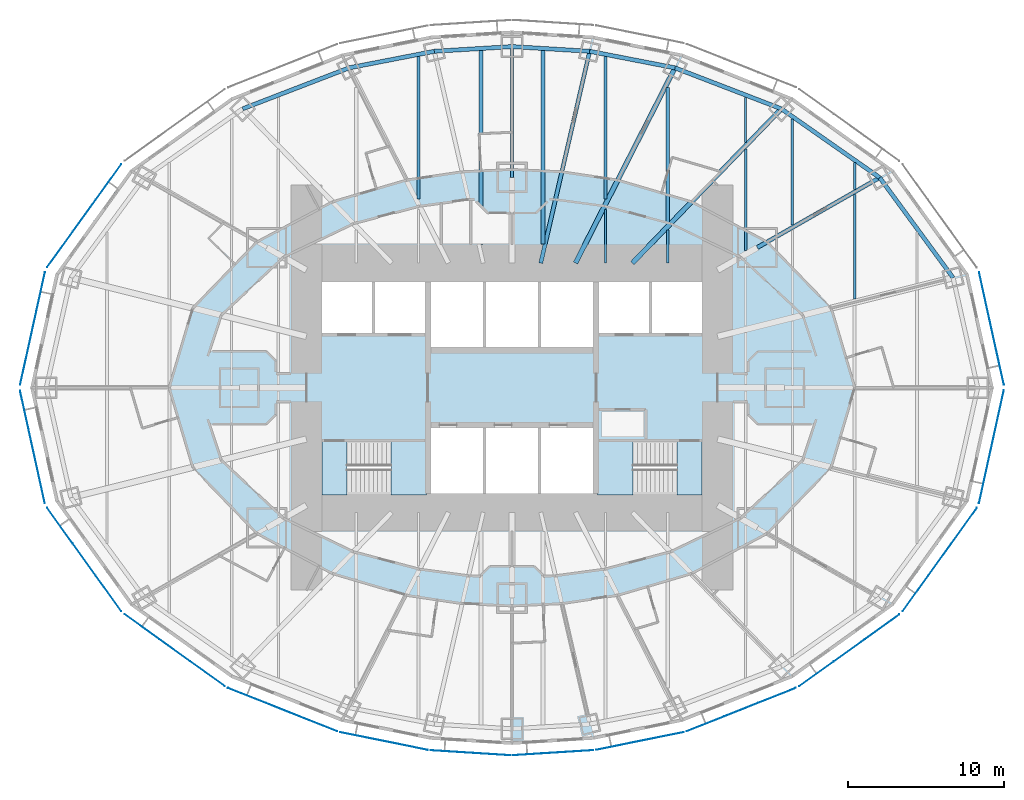
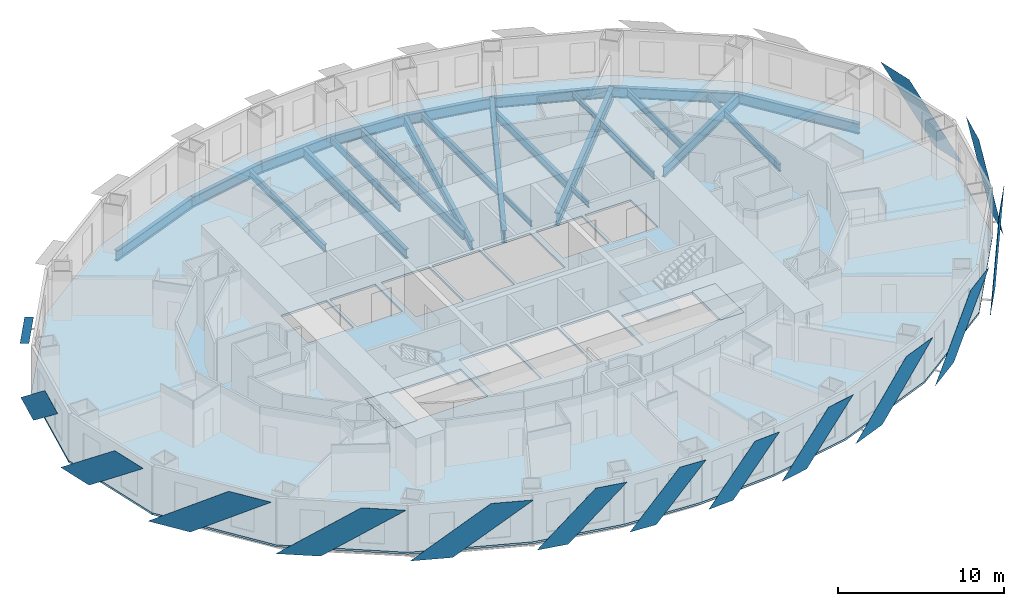
# One storey, part 3 of 15: 25 beams, 15 plates, 5 slabs, 2 elements without a shape of their own.
"""IFC4 building model written with IfcOpenShell, lengths in metres."""

import ifcopenshell
import ifcopenshell.guid

model = None  # the IFC model being written
_history = None  # IfcOwnerHistory: only IFC2X3 demands one
_inside = {}  # id of a spatial element -> (the spatial element, [elements in it])
_under = {}  # id of a project, library or spatial element -> (it, [spatial elements below it])
_declared = {}  # id of a project -> (the project, [libraries it declares])
_typed = {}  # id of a type object -> (the type object, [elements of that type])
_made_of = {}  # id of a material, layer set ... -> (it, [elements and type objects made of it])


def new_model(schema):
    """Start an empty IFC model of exactly this schema.

    Asked for "IFC4X3", IfcOpenShell would pick the latest addendum, in which some entities
    have other attributes; the version numbers below select the first issue.
    IFC2X3 requires an IfcOwnerHistory on every rooted entity: one is made here for all.
    """
    global model, _history
    if schema == "IFC4X3":
        model = ifcopenshell.file(schema_version=(4, 3, 0, 0))
    else:
        model = ifcopenshell.file(schema=schema)
    _inside.clear()
    _under.clear()
    _declared.clear()
    _typed.clear()
    _made_of.clear()
    _history = None
    if model.schema == "IFC2X3":
        org = make("IfcOrganization", Name="unknown")
        user = make(
            "IfcPersonAndOrganization",
            ThePerson=make("IfcPerson", FamilyName="unknown"),
            TheOrganization=org,
        )
        app = make(
            "IfcApplication",
            ApplicationDeveloper=org,
            Version="unknown",
            ApplicationFullName="unknown",
            ApplicationIdentifier="unknown",
        )
        _history = make(
            "IfcOwnerHistory",
            OwningUser=user,
            OwningApplication=app,
            ChangeAction="ADDED",
            CreationDate=0,
        )
    return model


def make(cls, **values):
    """One entity of the class cls with the attributes given. An attribute that is None is left unset."""
    return model.create_entity(
        cls, **{name: value for name, value in values.items() if value is not None}
    )


def rooted(cls, **values):
    """An entity with a GlobalId (a new one), such as an element, a storey or a relation."""
    return make(cls, GlobalId=ifcopenshell.guid.new(), OwnerHistory=_history, **values)


def si_unit(unit_type, name, prefix=None):
    """IfcSIUnit, for example si_unit("LENGTHUNIT", "METRE", prefix="MILLI")."""
    return make("IfcSIUnit", UnitType=unit_type, Prefix=prefix, Name=name)


def assignment(units):
    """IfcUnitAssignment: the units of a project."""
    return None if units is None else make("IfcUnitAssignment", Units=units)


def point(xyz):
    """IfcCartesianPoint."""
    return None if xyz is None else make("IfcCartesianPoint", Coordinates=xyz)


def direction(xyz):
    """IfcDirection."""
    return None if xyz is None else make("IfcDirection", DirectionRatios=xyz)


def frame(location, z_axis=None, x_axis=None):
    """IfcAxis2Placement3D, a coordinate frame: its origin and axes. An axis left out is left unset."""
    return make(
        "IfcAxis2Placement3D",
        Location=point(location),
        Axis=direction(z_axis),
        RefDirection=direction(x_axis),
    )


def frame_2d(location, x_axis=None):
    """IfcAxis2Placement2D, a coordinate frame in the plane: its origin and x axis."""
    return make(
        "IfcAxis2Placement2D", Location=point(location), RefDirection=direction(x_axis)
    )


def origin():
    """The frame at (0, 0, 0) with its axes left unset."""
    return frame((0.0, 0.0, 0.0))


def origin_2d():
    """The frame at (0, 0) in the plane with its x axis left unset."""
    return frame_2d((0.0, 0.0))


def place(relative_to, where):
    """IfcLocalPlacement: puts the frame where relative to a parent placement (None: the world)."""
    return make(
        "IfcLocalPlacement", PlacementRelTo=relative_to, RelativePlacement=where
    )


def context(
    kind, dimensions, precision=None, world=None, true_north=None, identifier=None
):
    """IfcGeometricRepresentationContext, for example the 3D "Model" context."""
    return make(
        "IfcGeometricRepresentationContext",
        ContextIdentifier=identifier,
        ContextType=kind,
        CoordinateSpaceDimension=dimensions,
        Precision=precision,
        WorldCoordinateSystem=world,
        TrueNorth=true_north,
    )


def subcontext(parent, identifier, kind, view, scale=None):
    """IfcGeometricRepresentationSubContext, for example "Body" below "Model"."""
    return make(
        "IfcGeometricRepresentationSubContext",
        ContextIdentifier=identifier,
        ContextType=kind,
        ParentContext=parent,
        TargetScale=scale,
        TargetView=view,
    )


def project(units=None, contexts=None):
    """IfcProject with its units and contexts."""
    return rooted(
        "IfcProject",
        Name="project",
        RepresentationContexts=contexts,
        UnitsInContext=assignment(units),
    )


def spatial(cls, under=None, at=None, **own):
    """A site, building, storey or space (cls), placed at a placement, below another one or the project."""
    s = rooted(cls, ObjectPlacement=at, **own)
    if under is not None:
        _under.setdefault(under.id(), (under, []))[1].append(s)
    return s


def polyline(points):
    """IfcPolyline through the points."""
    return make("IfcPolyline", Points=[point(p) for p in points])


def profile(cls, at=None, kind="AREA", **sizes):
    """A parametric profile (cls). Its sizes go by their IFC names, for example OverallWidth=200.0."""
    return make(cls, ProfileType=kind, Position=at, **sizes)


def i_section(**sizes):
    """IfcIShapeProfileDef."""
    return profile("IfcIShapeProfileDef", **sizes)


def outline(outer, holes=None, kind="AREA"):
    """IfcArbitraryClosedProfileDef: a profile drawn as a closed curve; with holes, ...WithVoids."""
    if holes is None:
        return make("IfcArbitraryClosedProfileDef", ProfileType=kind, OuterCurve=outer)
    return make(
        "IfcArbitraryProfileDefWithVoids",
        ProfileType=kind,
        OuterCurve=outer,
        InnerCurves=holes,
    )


def extrude(swept, where, along, depth):
    """IfcExtrudedAreaSolid: the profile swept, set in the frame where, extruded along a direction by depth."""
    return make(
        "IfcExtrudedAreaSolid",
        SweptArea=swept,
        Position=where,
        ExtrudedDirection=direction(along),
        Depth=depth,
    )


def shape(context_of_items, identifier, shape_type, items):
    """IfcShapeRepresentation: the items that make up one representation, for example the "Body"."""
    return make(
        "IfcShapeRepresentation",
        ContextOfItems=context_of_items,
        RepresentationIdentifier=identifier,
        RepresentationType=shape_type,
        Items=items,
    )


def material(Name=None, Category=None):
    """IfcMaterial."""
    return make("IfcMaterial", Name=Name, Category=Category)


def layer(
    of_material, thickness, ventilated=None, Name=None, Category=None, Priority=None
):
    """IfcMaterialLayer: one layer of a wall or slab, of a material (None: an air gap)."""
    return make(
        "IfcMaterialLayer",
        Material=of_material,
        LayerThickness=thickness,
        IsVentilated=ventilated,
        Name=Name,
        Category=Category,
        Priority=Priority,
    )


def layer_set(layers, Name=None):
    """IfcMaterialLayerSet."""
    return make("IfcMaterialLayerSet", MaterialLayers=layers, LayerSetName=Name)


def material_profile(
    of_material, cross_section, Name=None, Category=None, Priority=None
):
    """IfcMaterialProfile: a cross section and its material."""
    return make(
        "IfcMaterialProfile",
        Name=Name,
        Material=of_material,
        Profile=cross_section,
        Priority=Priority,
        Category=Category,
    )


def profile_set(profiles, Name=None, composite=None):
    """IfcMaterialProfileSet."""
    return make(
        "IfcMaterialProfileSet",
        Name=Name,
        MaterialProfiles=profiles,
        CompositeProfile=composite,
    )


def made_of(thing, what):
    """Note that an element or type object is made of a material, layer set ...; save() writes the relation."""
    if what is not None:
        _made_of.setdefault(what.id(), (what, []))[1].append(thing)
    return thing


def type_object(cls, material=None, **own):
    """A type object (cls), such as IfcWallType, which elements share."""
    return made_of(rooted(cls, **own), material)


def element(
    cls,
    number,
    at=None,
    inside=None,
    cuts=None,
    type_object=None,
    material=None,
    context=None,
    identifier="Body",
    shape_type=None,
    held_by="IfcProductDefinitionShape",
    body=None,
    shapes=None,
    **own,
):
    """One element of the class cls, such as IfcWall. Its Tag is "e" and its number.

    at: its placement. inside: the storey or other place that contains it. cuts: it is an
    opening in that element (IfcRelVoidsElement). A single representation is given by context,
    identifier, shape_type and body (its items); several are given by shapes. held_by: the class
    of the entity that holds the representations. save() writes the other relations.
    """
    e = rooted(cls, Tag="e%d" % number, ObjectPlacement=at, **own)
    if body is not None:
        shapes = [shape(context, identifier, shape_type, body)]
    if shapes is not None:
        e.Representation = make(held_by, Representations=shapes)
    if inside is not None:
        _inside.setdefault(inside.id(), (inside, []))[1].append(e)
    if cuts is not None:
        rooted(
            "IfcRelVoidsElement", RelatingBuildingElement=cuts, RelatedOpeningElement=e
        )
    if type_object is not None:
        _typed.setdefault(type_object.id(), (type_object, []))[1].append(e)
    return made_of(e, material)


def aggregate(whole, parts):
    """IfcRelAggregates: a whole, such as a stair, and the parts it consists of."""
    return rooted("IfcRelAggregates", RelatingObject=whole, RelatedObjects=parts)


def save(model, path):
    """Write the relations noted so far, then the file.

    IfcRelAggregates (storeys below a building ...), IfcRelContainedInSpatialStructure (elements
    in a storey), IfcRelDefinesByType, IfcRelAssociatesMaterial and IfcRelDeclares: one each for
    every whole, place, type object, material and project.
    """
    for whole, parts in _under.values():
        aggregate(whole, parts)
    for where, things in _inside.values():
        rooted(
            "IfcRelContainedInSpatialStructure",
            RelatedElements=things,
            RelatingStructure=where,
        )
    for kind, things in _typed.values():
        rooted("IfcRelDefinesByType", RelatedObjects=things, RelatingType=kind)
    for what, things in _made_of.values():
        rooted("IfcRelAssociatesMaterial", RelatedObjects=things, RelatingMaterial=what)
    for by, libraries in _declared.values():
        rooted("IfcRelDeclares", RelatingContext=by, RelatedDefinitions=libraries)
    model.write(path)


model = new_model("IFC4")

# Units and contexts
model_context = context("Model", 3, precision=1e-05, world=origin(), true_north=direction((0.0, 1.0)))
body_context = subcontext(model_context, "Body", "Model", "MODEL_VIEW")
ifc_project = project(units=[si_unit("LENGTHUNIT", "METRE"), si_unit("AREAUNIT", "SQUARE_METRE"), si_unit("VOLUMEUNIT", "CUBIC_METRE"), si_unit("PLANEANGLEUNIT", "RADIAN"), si_unit("MASSUNIT", "GRAM", prefix="KILO")], contexts=[model_context])

# Site, building, storey
site_placement = place(None, origin())
site = spatial("IfcSite", under=ifc_project, at=site_placement, CompositionType="ELEMENT")
building_placement = place(site_placement, origin())
building = spatial("IfcBuilding", under=site, at=building_placement, Name="Lantaw Convention Tower", CompositionType="ELEMENT")
storey_placement = place(building_placement, frame((0.0, 0.0, 80.199951171875)))
storey = spatial("IfcBuildingStorey", under=building, at=storey_placement, Name="L18", CompositionType="ELEMENT", Elevation=80.199951171875)

# Beams
ifc_material_1 = material(Name="Steel ASTM A992", Category="steel")
ifc_material_profile_1 = material_profile(ifc_material_1, i_section(OverallWidth=0.2666015625, OverallDepth=0.76953125, WebThickness=0.015625, FlangeThickness=0.025390625, FilletRadius=0.0126953125, at=origin_2d()), Name="W30X132")
ifc_profile_set_1 = profile_set([ifc_material_profile_1], Name="Steel ASTM A992")
beam_type_1 = type_object("IfcBeamType", Name="Beam E W30X132", PredefinedType="SPANDREL", material=ifc_profile_set_1)
beam_1_placement = place(storey_placement, frame((28.31787109375, 7.060302734375, -0.53466796875), z_axis=(-0.591270709086, 0.806473154281, 0.0), x_axis=(-0.806473154281, -0.591270709086, 0.0)))
element("IfcBeam", 1, at=beam_1_placement, inside=storey, type_object=beam_type_1, Name="Edge beam 2", PredefinedType="SPANDREL", context=body_context, shape_type="SweptSolid", body=[
    extrude(i_section(OverallWidth=0.2666015625, OverallDepth=0.76953125, WebThickness=0.015625, FlangeThickness=0.025390625, FilletRadius=0.0126953125, at=origin_2d()), origin(), (0.0, 0.0, 1.0), 7.970703125),
])
beam_2_placement = place(storey_placement, frame((23.60498046875, 13.488525390625, -0.53466796875), z_axis=(-0.81942686407, 0.57318375277, 0.0), x_axis=(-0.57318375277, -0.81942686407, 0.0)))
element("IfcBeam", 2, at=beam_2_placement, inside=storey, type_object=beam_type_1, Name="Edge beam 3", PredefinedType="SPANDREL", context=body_context, shape_type="SweptSolid", body=[
    extrude(i_section(OverallWidth=0.2666015625, OverallDepth=0.76953125, WebThickness=0.015625, FlangeThickness=0.025390625, FilletRadius=0.0126953125, at=origin_2d()), origin(), (0.0, 0.0, 1.0), 7.70556640625),
])
beam_3_placement = place(storey_placement, frame((17.290771484375, 17.9052734375, -0.53466796875), z_axis=(-0.933232900641, 0.359271976588, 0.0), x_axis=(-0.359271976588, -0.933232900641, 0.0)))
element("IfcBeam", 3, at=beam_3_placement, inside=storey, type_object=beam_type_1, Name="Edge beam 4", PredefinedType="SPANDREL", context=body_context, shape_type="SweptSolid", body=[
    extrude(i_section(OverallWidth=0.2666015625, OverallDepth=0.76953125, WebThickness=0.015625, FlangeThickness=0.025390625, FilletRadius=0.0126953125, at=origin_2d()), origin(), (0.0, 0.0, 1.0), 7.316650390625),
])
beam_4_placement = place(storey_placement, frame((10.462646484375, 20.533935546875, -0.53466796875), z_axis=(-0.981636565323, 0.190760723474, 0.0), x_axis=(-0.190760723474, -0.981636565323, 0.0)))
element("IfcBeam", 4, at=beam_4_placement, inside=storey, type_object=beam_type_1, Name="Edge beam 5", PredefinedType="SPANDREL", context=body_context, shape_type="SweptSolid", body=[
    extrude(i_section(OverallWidth=0.2666015625, OverallDepth=0.76953125, WebThickness=0.015625, FlangeThickness=0.025390625, FilletRadius=0.0126953125, at=origin_2d()), origin(), (0.0, 0.0, 1.0), 5.578857421875),
])
for number, where, z_axis, x_axis, name in (
    (5, (4.986328125, 21.59814453125, -0.53466796875), (-0.998173858406, 0.060406526096, 0.0), (-0.060406526096, -0.998173858406, 0.0), "Edge beam 6"),
    (6, (0.0, 21.89990234375, -0.53466796875), (-0.998173858406, -0.060406526096, 0.0), (0.060406526096, -0.998173858406, 0.0), "Edge beam 7"),
):
    element("IfcBeam", number, at=place(storey_placement, frame(where, z_axis=z_axis, x_axis=x_axis)), inside=storey, type_object=beam_type_1, Name=name, PredefinedType="SPANDREL", context=body_context, shape_type="SweptSolid", body=[
        extrude(i_section(OverallWidth=0.2666015625, OverallDepth=0.76953125, WebThickness=0.015625, FlangeThickness=0.025390625, FilletRadius=0.0126953125, at=origin_2d()), origin(), (0.0, 0.0, 1.0), 4.995361328125),
    ])
beam_5_placement = place(storey_placement, frame((-4.986328125, 21.59814453125, -0.53466796875), z_axis=(-0.981636565323, -0.190760723474, 0.0), x_axis=(0.190760723474, -0.981636565323, 0.0)))
element("IfcBeam", 7, at=beam_5_placement, inside=storey, type_object=beam_type_1, Name="Edge beam 8", PredefinedType="SPANDREL", context=body_context, shape_type="SweptSolid", body=[
    extrude(i_section(OverallWidth=0.2666015625, OverallDepth=0.76953125, WebThickness=0.015625, FlangeThickness=0.025390625, FilletRadius=0.0126953125, at=origin_2d()), origin(), (0.0, 0.0, 1.0), 5.578857421875),
])
beam_6_placement = place(storey_placement, frame((-10.462646484375, 20.533935546875, -0.53466796875), z_axis=(-0.933232900641, -0.359271976588, 0.0), x_axis=(0.359271976588, -0.933232900641, 0.0)))
element("IfcBeam", 8, at=beam_6_placement, inside=storey, type_object=beam_type_1, Name="Edge beam 9", PredefinedType="SPANDREL", context=body_context, shape_type="SweptSolid", body=[
    extrude(i_section(OverallWidth=0.2666015625, OverallDepth=0.76953125, WebThickness=0.015625, FlangeThickness=0.025390625, FilletRadius=0.0126953125, at=origin_2d()), origin(), (0.0, 0.0, 1.0), 7.316650390625),
])
ifc_material_profile_2 = material_profile(ifc_material_1, i_section(OverallWidth=0.1650390625, OverallDepth=0.52587890625, WebThickness=0.0087890625, FlangeThickness=0.011474609375, FilletRadius=0.0126953125, at=origin_2d()), Name="W21X44")
ifc_profile_set_2 = profile_set([ifc_material_profile_2], Name="Steel ASTM A992")
beam_type_2 = type_object("IfcBeamType", Name="Beam G W21X44", PredefinedType="BEAM", material=ifc_profile_set_2)
beam_7_placement = place(storey_placement, frame((0.0, 13.5, -0.412841796875), z_axis=(0.0, 1.0, 0.0), x_axis=(-1.0, 0.0, 0.0)))
element("IfcBeam", 9, at=beam_7_placement, inside=storey, type_object=beam_type_2, Name="Floor girder on ray 7", PredefinedType="BEAM", context=body_context, shape_type="SweptSolid", body=[
    extrude(i_section(OverallWidth=0.1650390625, OverallDepth=0.52587890625, WebThickness=0.0087890625, FlangeThickness=0.011474609375, FilletRadius=0.0126953125, at=origin_2d()), origin(), (0.0, 0.0, 1.0), 8.39990234375),
])
ifc_material_profile_3 = material_profile(ifc_material_1, i_section(OverallWidth=0.25390625, OverallDepth=0.683349609375, WebThickness=0.012451171875, FlangeThickness=0.01904296875, FilletRadius=0.01513671875, at=origin_2d()), Name="W27X94")
ifc_profile_set_3 = profile_set([ifc_material_profile_3], Name="Steel ASTM A992")
beam_type_3 = type_object("IfcBeamType", Name="Beam G W27X94", PredefinedType="BEAM", material=ifc_profile_set_3)
beam_8_placement = place(storey_placement, frame((1.846923828125, 8.0, -0.49169921875), z_axis=(0.224952773175, 0.97436966796, 0.0), x_axis=(-0.97436966796, 0.224952773175, 0.0)))
element("IfcBeam", 10, at=beam_8_placement, inside=storey, type_object=beam_type_3, Name="Floor girder on ray 6", PredefinedType="BEAM", context=body_context, shape_type="SweptSolid", body=[
    extrude(i_section(OverallWidth=0.25390625, OverallDepth=0.683349609375, WebThickness=0.012451171875, FlangeThickness=0.01904296875, FilletRadius=0.01513671875, at=origin_2d()), origin(), (0.0, 0.0, 1.0), 13.955810546875),
])
ifc_material_profile_4 = material_profile(ifc_material_1, i_section(OverallWidth=0.2666015625, OverallDepth=0.7568359375, WebThickness=0.013916015625, FlangeThickness=0.019287109375, FilletRadius=0.0126953125, at=origin_2d()), Name="W30X108")
ifc_profile_set_4 = profile_set([ifc_material_profile_4], Name="Steel ASTM A992")
beam_type_4 = type_object("IfcBeamType", Name="Beam G W30X108", PredefinedType="BEAM", material=ifc_profile_set_4)
beam_9_placement = place(storey_placement, frame((15.75, 9.0, -0.5283203125), z_axis=(0.868244802791, 0.496136032179, 0.0), x_axis=(-0.496136032179, 0.868244802791, 0.0)))
element("IfcBeam", 11, at=beam_9_placement, inside=storey, type_object=beam_type_4, Name="Floor girder on ray 3", PredefinedType="BEAM", context=body_context, shape_type="SweptSolid", body=[
    extrude(i_section(OverallWidth=0.2666015625, OverallDepth=0.7568359375, WebThickness=0.013916015625, FlangeThickness=0.019287109375, FilletRadius=0.0126953125, at=origin_2d()), origin(), (0.0, 0.0, 1.0), 9.046875),
])
ifc_material_profile_5 = material_profile(ifc_material_1, i_section(OverallWidth=0.307373046875, OverallDepth=0.922119140625, WebThickness=0.018310546875, FlangeThickness=0.030029296875, FilletRadius=0.0126953125, at=origin_2d()), Name="W36X182")
ifc_profile_set_5 = profile_set([ifc_material_profile_5], Name="Steel ASTM A992")
beam_type_5 = type_object("IfcBeamType", Name="Beam G W36X182", PredefinedType="BEAM", material=ifc_profile_set_5)
beam_10_placement = place(storey_placement, frame((7.7255859375, 8.0, -0.61083984375), z_axis=(0.694649884291, 0.719347995239, 0.0), x_axis=(-0.719347995239, 0.694649884291, 0.0)))
element("IfcBeam", 12, at=beam_10_placement, inside=storey, type_object=beam_type_5, Name="Floor girder on ray 4", PredefinedType="BEAM", context=body_context, shape_type="SweptSolid", body=[
    extrude(i_section(OverallWidth=0.307373046875, OverallDepth=0.922119140625, WebThickness=0.018310546875, FlangeThickness=0.030029296875, FilletRadius=0.0126953125, at=origin_2d()), origin(), (0.0, 0.0, 1.0), 13.769775390625),
])
beam_11_placement = place(storey_placement, frame((4.076171875, 8.0, -0.61083984375), z_axis=(0.453997016122, 0.891003203896, 0.0), x_axis=(-0.891003203896, 0.453997016122, 0.0)))
element("IfcBeam", 13, at=beam_11_placement, inside=storey, type_object=beam_type_5, Name="Floor girder on ray 5", PredefinedType="BEAM", context=body_context, shape_type="SweptSolid", body=[
    extrude(i_section(OverallWidth=0.307373046875, OverallDepth=0.922119140625, WebThickness=0.018310546875, FlangeThickness=0.030029296875, FilletRadius=0.0126953125, at=origin_2d()), origin(), (0.0, 0.0, 1.0), 14.067138671875),
])
ifc_material_profile_6 = material_profile(ifc_material_1, i_section(OverallWidth=0.140380859375, OverallDepth=0.40380859375, WebThickness=0.007080078125, FlangeThickness=0.01123046875, FilletRadius=0.01025390625, at=origin_2d()), Name="W16X31")
ifc_profile_set_6 = profile_set([ifc_material_profile_6], Name="Steel ASTM A992")
beam_type_6 = type_object("IfcBeamType", Name="Beam J W16X31", PredefinedType="JOIST", material=ifc_profile_set_6)
beam_12_placement = place(storey_placement, frame((6.0, 8.0, -0.351806640625), z_axis=(0.0, 1.0, 0.0), x_axis=(-1.0, 0.0, 0.0)))
element("IfcBeam", 14, at=beam_12_placement, inside=storey, type_object=beam_type_6, Name="Floor joist", PredefinedType="JOIST", context=body_context, shape_type="SweptSolid", body=[
    extrude(i_section(OverallWidth=0.140380859375, OverallDepth=0.40380859375, WebThickness=0.007080078125, FlangeThickness=0.01123046875, FilletRadius=0.01025390625, at=origin_2d()), origin(), (0.0, 0.0, 1.0), 3.437255859375),
])
beam_13_placement = place(storey_placement, frame((10.0, 8.0, -0.351806640625), z_axis=(0.0, 1.0, 0.0), x_axis=(-1.0, 0.0, 0.0)))
element("IfcBeam", 15, at=beam_13_placement, inside=storey, type_object=beam_type_6, Name="Floor joist", PredefinedType="JOIST", context=body_context, shape_type="SweptSolid", body=[
    extrude(i_section(OverallWidth=0.140380859375, OverallDepth=0.40380859375, WebThickness=0.007080078125, FlangeThickness=0.01123046875, FilletRadius=0.01025390625, at=origin_2d()), origin(), (0.0, 0.0, 1.0), 2.134033203125),
])
beam_14_placement = place(storey_placement, frame((15.0, 15.754150390625, -0.351806640625), z_axis=(0.0, 1.0, 0.0), x_axis=(-1.0, 0.0, 0.0)))
element("IfcBeam", 16, at=beam_14_placement, inside=storey, type_object=beam_type_6, Name="Floor joist", PredefinedType="JOIST", context=body_context, shape_type="SweptSolid", body=[
    extrude(i_section(OverallWidth=0.140380859375, OverallDepth=0.40380859375, WebThickness=0.007080078125, FlangeThickness=0.01123046875, FilletRadius=0.01025390625, at=origin_2d()), origin(), (0.0, 0.0, 1.0), 2.89013671875),
])
beam_15_placement = place(storey_placement, frame((22.0, 12.72509765625, -0.351806640625), z_axis=(0.0, 1.0, 0.0), x_axis=(-1.0, 0.0, 0.0)))
element("IfcBeam", 17, at=beam_15_placement, inside=storey, type_object=beam_type_6, Name="Floor joist", PredefinedType="JOIST", context=body_context, shape_type="SweptSolid", body=[
    extrude(i_section(OverallWidth=0.140380859375, OverallDepth=0.40380859375, WebThickness=0.007080078125, FlangeThickness=0.01123046875, FilletRadius=0.01025390625, at=origin_2d()), origin(), (0.0, 0.0, 1.0), 1.723388671875),
])
ifc_material_profile_7 = material_profile(ifc_material_1, i_section(OverallWidth=0.1650390625, OverallDepth=0.52587890625, WebThickness=0.0087890625, FlangeThickness=0.011474609375, FilletRadius=0.0126953125, at=origin_2d()), Name="W21X44")
ifc_profile_set_7 = profile_set([ifc_material_profile_7], Name="Steel ASTM A992")
beam_type_7 = type_object("IfcBeamType", Name="Beam J W21X44", PredefinedType="JOIST", material=ifc_profile_set_7)
beam_16_placement = place(storey_placement, frame((15.0, 8.803955078125, -0.412841796875), z_axis=(0.0, 1.0, 0.0), x_axis=(-1.0, 0.0, 0.0)))
element("IfcBeam", 18, at=beam_16_placement, inside=storey, type_object=beam_type_7, Name="Floor joist", PredefinedType="JOIST", context=body_context, shape_type="SweptSolid", body=[
    extrude(i_section(OverallWidth=0.1650390625, OverallDepth=0.52587890625, WebThickness=0.0087890625, FlangeThickness=0.011474609375, FilletRadius=0.0126953125, at=origin_2d()), origin(), (0.0, 0.0, 1.0), 6.5078125),
])
beam_17_placement = place(storey_placement, frame((18.0, 10.439208984375, -0.412841796875), z_axis=(0.0, 1.0, 0.0), x_axis=(-1.0, 0.0, 0.0)))
element("IfcBeam", 19, at=beam_17_placement, inside=storey, type_object=beam_type_7, Name="Floor joist", PredefinedType="JOIST", context=body_context, shape_type="SweptSolid", body=[
    extrude(i_section(OverallWidth=0.1650390625, OverallDepth=0.52587890625, WebThickness=0.0087890625, FlangeThickness=0.011474609375, FilletRadius=0.0126953125, at=origin_2d()), origin(), (0.0, 0.0, 1.0), 6.80712890625),
])
beam_18_placement = place(storey_placement, frame((22.0, 5.693359375, -0.412841796875), z_axis=(0.0, 1.0, 0.0), x_axis=(-1.0, 0.0, 0.0)))
element("IfcBeam", 20, at=beam_18_placement, inside=storey, type_object=beam_type_7, Name="Floor joist", PredefinedType="JOIST", context=body_context, shape_type="SweptSolid", body=[
    extrude(i_section(OverallWidth=0.1650390625, OverallDepth=0.52587890625, WebThickness=0.0087890625, FlangeThickness=0.011474609375, FilletRadius=0.0126953125, at=origin_2d()), origin(), (0.0, 0.0, 1.0), 6.724609375),
])
ifc_material_profile_8 = material_profile(ifc_material_1, i_section(OverallWidth=0.2099609375, OverallDepth=0.535888671875, WebThickness=0.010986328125, FlangeThickness=0.017333984375, FilletRadius=0.012939453125, at=origin_2d()), Name="W21X68")
ifc_profile_set_8 = profile_set([ifc_material_profile_8], Name="Steel ASTM A992")
beam_type_8 = type_object("IfcBeamType", Name="Beam J W21X68", PredefinedType="JOIST", material=ifc_profile_set_8)
for number, where, z_axis, x_axis, name in (
    (21, (-6.0, 12.1142578125, -0.41796875), (0.0, 1.0, 0.0), (-1.0, 0.0, 0.0), "Floor joist"),
    (22, (6.0, 12.1142578125, -0.41796875), (0.0, 1.0, 0.0), (-1.0, 0.0, 0.0), "Floor joist"),
):
    element("IfcBeam", number, at=place(storey_placement, frame(where, z_axis=z_axis, x_axis=x_axis)), inside=storey, type_object=beam_type_8, Name=name, PredefinedType="JOIST", context=body_context, shape_type="SweptSolid", body=[
        extrude(i_section(OverallWidth=0.2099609375, OverallDepth=0.535888671875, WebThickness=0.010986328125, FlangeThickness=0.017333984375, FilletRadius=0.012939453125, at=origin_2d()), origin(), (0.0, 0.0, 1.0), 9.15087890625),
    ])
ifc_material_profile_9 = material_profile(ifc_material_1, i_section(OverallWidth=0.227783203125, OverallDepth=0.60205078125, WebThickness=0.010498046875, FlangeThickness=0.014892578125, FilletRadius=0.012939453125, at=origin_2d()), Name="W24X68")
ifc_profile_set_9 = profile_set([ifc_material_profile_9], Name="Steel ASTM A992")
beam_type_9 = type_object("IfcBeamType", Name="Beam J W24X68", PredefinedType="JOIST", material=ifc_profile_set_9)
beam_19_placement = place(storey_placement, frame((10.0, 10.576416015625, -0.450927734375), z_axis=(0.0, 1.0, 0.0), x_axis=(-1.0, 0.0, 0.0)))
element("IfcBeam", 23, at=beam_19_placement, inside=storey, type_object=beam_type_9, Name="Floor joist", PredefinedType="JOIST", context=body_context, shape_type="SweptSolid", body=[
    extrude(i_section(OverallWidth=0.227783203125, OverallDepth=0.60205078125, WebThickness=0.010498046875, FlangeThickness=0.014892578125, FilletRadius=0.012939453125, at=origin_2d()), origin(), (0.0, 0.0, 1.0), 8.711181640625),
])
ifc_material_profile_10 = material_profile(ifc_material_1, i_section(OverallWidth=0.25390625, OverallDepth=0.700927734375, WebThickness=0.015380859375, FlangeThickness=0.02783203125, FilletRadius=0.01513671875, at=origin_2d()), Name="W27X129")
ifc_profile_set_10 = profile_set([ifc_material_profile_10], Name="Steel ASTM A992")
beam_type_10 = type_object("IfcBeamType", Name="Beam J W27X129", PredefinedType="JOIST", material=ifc_profile_set_10)
for number, where, z_axis, x_axis, name in (
    (24, (-2.0, 9.2275390625, -0.50048828125), (0.0, 1.0, 0.0), (-1.0, 0.0, 0.0), "Floor joist"),
    (25, (2.0, 9.2275390625, -0.50048828125), (0.0, 1.0, 0.0), (-1.0, 0.0, 0.0), "Floor joist"),
):
    element("IfcBeam", number, at=place(storey_placement, frame(where, z_axis=z_axis, x_axis=x_axis)), inside=storey, type_object=beam_type_10, Name=name, PredefinedType="JOIST", context=body_context, shape_type="SweptSolid", body=[
        extrude(i_section(OverallWidth=0.25390625, OverallDepth=0.700927734375, WebThickness=0.015380859375, FlangeThickness=0.02783203125, FilletRadius=0.01513671875, at=origin_2d()), origin(), (0.0, 0.0, 1.0), 12.417724609375),
    ])

# Slab
ifc_material_2 = material(Name="Concrete C35/45", Category="concrete")
ifc_layer_1 = layer(ifc_material_2, 0.14990234375)
ifc_layer_set_1 = layer_set([ifc_layer_1], Name="Floor slab 150")
slab_type_1 = type_object("IfcSlabType", Name="Floor slab 150", PredefinedType="FLOOR", material=ifc_layer_set_1)
slab_1_placement = place(storey_placement, frame((0.0, 0.0, -0.14990234375)))
element("IfcSlab", 26, at=slab_1_placement, inside=storey, type_object=slab_type_1, Name="L18 floor slab", PredefinedType="FLOOR", context=body_context, shape_type="SweptSolid", body=[
    extrude(outline(polyline([(29.315185546875, -7.29541015625), (30.923095703125, 0.0), (29.315185546875, 7.29541015625), (24.50634765625, 13.98046875), (18.018798828125, 18.630126953125), (10.9404296875, 21.44189453125), (5.223876953125, 22.59521484375), (0.0, 22.9248046875), (-5.223876953125, 22.59521484375), (-10.9404296875, 21.44189453125), (-18.018798828125, 18.630126953125), (-24.50634765625, 13.98046875), (-29.315185546875, 7.29541015625), (-30.923095703125, 0.0), (-29.315185546875, -7.29541015625), (-24.50634765625, -13.98046875), (-18.018798828125, -18.630126953125), (-10.9404296875, -21.44189453125), (-5.223876953125, -22.59521484375), (0.0, -22.9248046875), (5.223876953125, -22.59521484375), (10.9404296875, -21.44189453125), (18.018798828125, -18.630126953125), (24.50634765625, -13.98046875), (29.315185546875, -7.29541015625)]), holes=[polyline([(-5.60009765625, -3.5), (-12.199951171875, -3.5), (-12.199951171875, -6.800048828125), (-5.60009765625, -6.800048828125), (-5.60009765625, -3.5)]), polyline([(-1.86669921875, -6.800048828125), (-1.86669921875, -2.60009765625), (-5.199951171875, -2.60009765625), (-5.199951171875, -6.800048828125), (-1.86669921875, -6.800048828125)]), polyline([(-1.86669921875, 2.60009765625), (-1.86669921875, 6.800048828125), (-5.199951171875, 6.800048828125), (-5.199951171875, 2.60009765625), (-1.86669921875, 2.60009765625)]), polyline([(1.666748046875, 6.800048828125), (-1.666748046875, 6.800048828125), (-1.666748046875, 2.60009765625), (1.666748046875, 2.60009765625), (1.666748046875, 6.800048828125)]), polyline([(-9.0, 3.5), (-9.0, 6.800048828125), (-12.199951171875, 6.800048828125), (-12.199951171875, 3.5), (-9.0, 3.5)]), polyline([(-5.60009765625, 3.5), (-5.60009765625, 6.800048828125), (-8.800048828125, 6.800048828125), (-8.800048828125, 3.5), (-5.60009765625, 3.5)]), polyline([(12.199951171875, -3.5), (5.60009765625, -3.5), (5.60009765625, -6.800048828125), (12.199951171875, -6.800048828125), (12.199951171875, -3.5)]), polyline([(1.666748046875, -6.800048828125), (1.666748046875, -2.60009765625), (-1.666748046875, -2.60009765625), (-1.666748046875, -6.800048828125), (1.666748046875, -6.800048828125)]), polyline([(5.199951171875, -6.800048828125), (5.199951171875, -2.60009765625), (1.86669921875, -2.60009765625), (1.86669921875, -6.800048828125), (5.199951171875, -6.800048828125)]), polyline([(5.199951171875, 6.800048828125), (1.86669921875, 6.800048828125), (1.86669921875, 2.60009765625), (5.199951171875, 2.60009765625), (5.199951171875, 6.800048828125)]), polyline([(8.800048828125, 3.5), (8.800048828125, 6.800048828125), (5.60009765625, 6.800048828125), (5.60009765625, 3.5), (8.800048828125, 3.5)]), polyline([(12.199951171875, 3.5), (12.199951171875, 6.800048828125), (9.0, 6.800048828125), (9.0, 3.5), (12.199951171875, 3.5)])]), origin(), (0.0, 0.0, 1.0), 0.14990234375),
])

# Plates
ifc_material_3 = material(Name="Perforated aluminium sheet, pale silver finish", Category="aluminium")
ifc_layer_2 = layer(ifc_material_3, 0.006103515625)
ifc_layer_set_2 = layer_set([ifc_layer_2], Name="Perforated aluminium solar SCREEN panel")
plate_type = type_object("IfcPlateType", Name="Perforated aluminium solar SCREEN panel", PredefinedType="SHEET", material=ifc_layer_set_2)
plate_1_placement = place(storey_placement, frame((31.5810546875, 0.17919921875, -0.175048828125), z_axis=(-0.97655943558, -0.215247921852, 3.0295023e-05), x_axis=(-0.215247921951, 0.976559436028, 3.12e-10)))
element("IfcPlate", 27, at=plate_1_placement, inside=storey, type_object=plate_type, Name="Solar SCREEN panel", PredefinedType="SHEET", context=body_context, shape_type="SweptSolid", body=[
    extrude(outline(polyline([(0.0, 0.0), (2.551002212329069, 3.3881317890172014e-21), (7.402498252985418, -3.739990233781388), (4.851734458487411, -3.7399902353733405), (0.0, 0.0)])), origin(), (0.0, 0.0, -1.0), 0.006103515625),
])
plate_2_placement = place(storey_placement, frame((-25.0810546875, 14.34765625, -0.175048828125), z_axis=(0.811791382613, -0.583947558463, 9.019268e-06), x_axis=(-0.583947558486, -0.811791382646, 0.0)))
element("IfcPlate", 28, at=plate_2_placement, inside=storey, type_object=plate_type, Name="Solar SCREEN panel", PredefinedType="SHEET", context=body_context, shape_type="SweptSolid", body=[
    extrude(outline(polyline([(0.0, 0.0), (2.809541672291133, 0.0), (8.163093158837512, -3.739990234527119), (5.353551486546379, -3.739990234527119), (0.0, 0.0)])), origin(), (0.0, 0.0, -1.0), 0.006103515625),
])
plate_3_placement = place(storey_placement, frame((-29.98779296875, 7.408203125, -0.175048828125), z_axis=(-0.97655943558, 0.215247921852, 3.0295023e-05), x_axis=(-0.215247921951, -0.976559436028, -3.12e-10)))
element("IfcPlate", 29, at=plate_3_placement, inside=storey, type_object=plate_type, Name="Solar SCREEN panel", PredefinedType="SHEET", context=body_context, shape_type="SweptSolid", body=[
    extrude(outline(polyline([(0.0, 0.0), (2.5507637944980077, 6.776263578034403e-21), (7.402498250651261, 3.7399902384013473), (4.851496038322192, 3.739990236809246), (0.0, 0.0)])), origin(), (0.0, 0.0, -1.0), 0.006103515625),
])
plate_4_placement = place(storey_placement, frame((-31.5810546875, -0.17919921875, -0.175048828125), z_axis=(0.97655943558, 0.215247921852, 3.0295023e-05), x_axis=(0.215247921951, -0.976559436028, 3.12e-10)))
element("IfcPlate", 30, at=plate_4_placement, inside=storey, type_object=plate_type, Name="Solar SCREEN panel", PredefinedType="SHEET", context=body_context, shape_type="SweptSolid", body=[
    extrude(outline(polyline([(0.0, 0.0), (2.551002212329069, 3.3881317890172014e-21), (7.402498252985418, -3.739990233781388), (4.851734458487411, -3.7399902353733405), (0.0, 0.0)])), origin(), (0.0, 0.0, -1.0), 0.006103515625),
])
plate_5_placement = place(storey_placement, frame((-29.847900390625, -7.720947265625, -0.175048828125), z_axis=(-0.811791382613, -0.583947558463, 9.019268e-06), x_axis=(0.583947558486, -0.811791382646, 0.0)))
element("IfcPlate", 31, at=plate_5_placement, inside=storey, type_object=plate_type, Name="Solar SCREEN panel", PredefinedType="SHEET", context=body_context, shape_type="SweptSolid", body=[
    extrude(outline(polyline([(0.0, 0.0), (2.809541672291133, 0.0), (8.163093158837512, 3.739990234527119), (5.353551486546379, 3.739990234527119), (0.0, 0.0)])), origin(), (0.0, 0.0, -1.0), 0.006103515625),
])
plate_6_placement = place(storey_placement, frame((-24.872314453125, -14.555908203125, -0.175048828125), z_axis=(-0.582561421998, -0.812786681331, 1.5819417e-05), x_axis=(0.812786681433, -0.582561422071, 0.0)))
element("IfcPlate", 32, at=plate_6_placement, inside=storey, type_object=plate_type, Name="Solar SCREEN panel", PredefinedType="SHEET", context=body_context, shape_type="SweptSolid", body=[
    extrude(outline(polyline([(0.0, 0.0), (2.721095180812288, 3.3881317890172014e-21), (7.903118572410756, 3.739990234842974), (5.182023391598468, 3.739990234842974), (0.0, 0.0)])), origin(), (0.0, 0.0, -1.0), 0.006103515625),
])
plate_7_placement = place(storey_placement, frame((-18.232177734375, -19.278076171875, -0.175048828125), z_axis=(0.369183532846, 0.929356508016, 9.163296e-06), x_axis=(0.929356508055, -0.369183532862, 0.0)))
element("IfcPlate", 33, at=plate_7_placement, inside=storey, type_object=plate_type, Name="Solar SCREEN panel", PredefinedType="SHEET", context=body_context, shape_type="SweptSolid", body=[
    extrude(outline(polyline([(0.0, 0.0), (2.594936467166582, -1.6940658945086007e-21), (7.5321069917580825, -3.739990234532016), (4.937170524591499, -3.739990234532016), (0.0, 0.0)])), origin(), (0.0, 0.0, -1.0), 0.006103515625),
])
plate_8_placement = place(storey_placement, frame((-11.03271484375, -22.117919921875, -0.175048828125), z_axis=(0.197781876197, 0.980246055561, 2.418535e-06), x_axis=(0.980246055563, -0.197781876198, 1.46e-10)))
element("IfcPlate", 34, at=plate_8_placement, inside=storey, type_object=plate_type, Name="Solar SCREEN panel", PredefinedType="SHEET", context=body_context, shape_type="SweptSolid", body=[
    extrude(outline(polyline([(0.0, 0.0), (1.9867801772236329, -3.1763735522036263e-22), (5.743587245978565, -3.7399902335493134), (3.7568553553458006, -3.739990234128105), (0.0, 0.0)])), origin(), (0.0, 0.0, -1.0), 0.006103515625),
])
plate_9_placement = place(storey_placement, frame((-5.221923828125, -23.27783203125, -0.175048828125), z_axis=(0.062923905251, 0.998018327468, 1.3605496e-05), x_axis=(0.998018327561, -0.062923905257, 9.3e-10)))
element("IfcPlate", 35, at=plate_9_placement, inside=storey, type_object=plate_type, Name="Solar SCREEN panel", PredefinedType="SHEET", context=body_context, shape_type="SweptSolid", body=[
    extrude(outline(polyline([(0.0, 0.0), (1.7828375409377817, -2.117582368135751e-22), (5.143985963027618, -3.739990229938699), (3.3611637843713935, -3.7399902332537565), (0.0, 0.0)])), origin(), (0.0, 0.0, -1.0), 0.006103515625),
])
plate_10_placement = place(storey_placement, frame((0.088134765625, -23.6015625, -0.175048828125), z_axis=(0.062923905251, -0.998018327468, 1.3605496e-05), x_axis=(0.998018327561, 0.062923905257, -9.3e-10)))
element("IfcPlate", 36, at=plate_10_placement, inside=storey, type_object=plate_type, Name="Solar SCREEN panel", PredefinedType="SHEET", context=body_context, shape_type="SweptSolid", body=[
    extrude(outline(polyline([(0.0, 0.0), (1.782822178656225, -2.117582368135751e-22), (5.143985956073316, 3.7399902395036517), (3.3611484151355353, 3.7399902361885653), (0.0, 0.0)])), origin(), (0.0, 0.0, -1.0), 0.006103515625),
])
plate_11_placement = place(storey_placement, frame((5.402587890625, -23.25390625, -0.175048828125), z_axis=(0.197781876197, -0.980246055561, 2.418535e-06), x_axis=(0.980246055563, 0.197781876198, -1.46e-10)))
element("IfcPlate", 37, at=plate_11_placement, inside=storey, type_object=plate_type, Name="Solar SCREEN panel", PredefinedType="SHEET", context=body_context, shape_type="SweptSolid", body=[
    extrude(outline(polyline([(0.0, 0.0), (1.9867318906327642, 1.0587911840678754e-22), (5.743587244888999, 3.7399902352225842), (3.7568070676653664, 3.7399902346437783), (0.0, 0.0)])), origin(), (0.0, 0.0, -1.0), 0.006103515625),
])
plate_12_placement = place(storey_placement, frame((11.232177734375, -22.058837890625, -0.175048828125), z_axis=(0.369183532846, -0.929356508016, 9.163296e-06), x_axis=(0.929356508055, 0.369183532862, 0.0)))
element("IfcPlate", 38, at=plate_12_placement, inside=storey, type_object=plate_type, Name="Solar SCREEN panel", PredefinedType="SHEET", context=body_context, shape_type="SweptSolid", body=[
    extrude(outline(polyline([(0.0, 0.0), (2.594936467166582, 1.6940658945086007e-21), (7.5321069917580825, 3.739990234532016), (4.937170524591499, 3.739990234532016), (0.0, 0.0)])), origin(), (0.0, 0.0, -1.0), 0.006103515625),
])
plate_13_placement = place(storey_placement, frame((18.44873046875, -19.159912109375, -0.175048828125), z_axis=(-0.582561421998, 0.812786681331, 1.5819417e-05), x_axis=(0.812786681433, 0.582561422071, 0.0)))
element("IfcPlate", 39, at=plate_13_placement, inside=storey, type_object=plate_type, Name="Solar SCREEN panel", PredefinedType="SHEET", context=body_context, shape_type="SweptSolid", body=[
    extrude(outline(polyline([(0.0, 0.0), (2.721095180812288, -3.3881317890172014e-21), (7.903118572410756, -3.739990234842974), (5.182023391598468, -3.739990234842974), (0.0, 0.0)])), origin(), (0.0, 0.0, -1.0), 0.006103515625),
])
plate_14_placement = place(storey_placement, frame((25.0810546875, -14.34765625, -0.175048828125), z_axis=(-0.811791382613, 0.583947558463, 9.019268e-06), x_axis=(0.583947558486, 0.811791382646, 0.0)))
element("IfcPlate", 40, at=plate_14_placement, inside=storey, type_object=plate_type, Name="Solar SCREEN panel", PredefinedType="SHEET", context=body_context, shape_type="SweptSolid", body=[
    extrude(outline(polyline([(0.0, 0.0), (2.809541672291133, 0.0), (8.163093158837512, -3.739990234527119), (5.353551486546379, -3.739990234527119), (0.0, 0.0)])), origin(), (0.0, 0.0, -1.0), 0.006103515625),
])
plate_15_placement = place(storey_placement, frame((29.98779296875, -7.408203125, -0.175048828125), z_axis=(0.97655943558, -0.215247921852, 3.0295023e-05), x_axis=(0.215247921951, 0.976559436028, -3.12e-10)))
element("IfcPlate", 41, at=plate_15_placement, inside=storey, type_object=plate_type, Name="Solar SCREEN panel", PredefinedType="SHEET", context=body_context, shape_type="SweptSolid", body=[
    extrude(outline(polyline([(0.0, 0.0), (2.5507637944980077, 6.776263578034403e-21), (7.402498250651261, 3.7399902384013473), (4.851496038322192, 3.739990236809246), (0.0, 0.0)])), origin(), (0.0, 0.0, -1.0), 0.006103515625),
])

# Stair, slabs
stair_type = type_object("IfcStairType", Name="Exit stair 1500 riser 163.64 in 2 flights", PredefinedType="HALF_TURN_STAIR", material=ifc_material_2)
stair_1_placement = place(storey_placement, origin())
stair_1 = element("IfcStair", 42, at=stair_1_placement, inside=storey, type_object=stair_type, Name="Exit stair S1 L18", PredefinedType="HALF_TURN_STAIR")
ifc_layer_3 = layer(ifc_material_2, 0.199951171875)
ifc_layer_set_3 = layer_set([ifc_layer_3], Name="Stair landing 200")
slab_type_2 = type_object("IfcSlabType", Name="Stair landing 200", PredefinedType="LANDING", material=ifc_layer_set_3)
slab_2_placement = place(storey_placement, frame((0.0, 0.0, -0.199951171875)))
slab_2 = element("IfcSlab", 43, at=slab_2_placement, type_object=slab_type_2, Name="S1 landing 1", PredefinedType="LANDING", context=body_context, shape_type="SweptSolid", body=[
    extrude(outline(polyline([(-12.199951171875, -6.89990234375), (-10.580078125, -6.89990234375), (-10.580078125, -3.39990234375), (-12.199951171875, -3.39990234375), (-12.199951171875, -6.89990234375)])), origin(), (0.0, 0.0, 1.0), 0.199951171875),
])
slab_3_placement = place(storey_placement, frame((0.0, 0.0, 1.60009765625)))
slab_3 = element("IfcSlab", 44, at=slab_3_placement, type_object=slab_type_2, Name="S1 landing 2", PredefinedType="LANDING", context=body_context, shape_type="SweptSolid", body=[
    extrude(outline(polyline([(-7.780029296875, -6.89990234375), (-5.5, -6.89990234375), (-5.5, -3.39990234375), (-7.780029296875, -3.39990234375), (-7.780029296875, -6.89990234375)])), origin(), (0.0, 0.0, 1.0), 0.199951171875),
])
aggregate(stair_1, [slab_2, slab_3])

stair_2_placement = place(storey_placement, origin())
stair_2 = element("IfcStair", 45, at=stair_2_placement, inside=storey, type_object=stair_type, Name="Exit stair S2 L18", PredefinedType="HALF_TURN_STAIR")
slab_4_placement = place(storey_placement, frame((0.0, 0.0, -0.199951171875)))
slab_4 = element("IfcSlab", 46, at=slab_4_placement, type_object=slab_type_2, Name="S2 landing 1", PredefinedType="LANDING", context=body_context, shape_type="SweptSolid", body=[
    extrude(outline(polyline([(10.580078125, -6.89990234375), (12.199951171875, -6.89990234375), (12.199951171875, -3.39990234375), (10.580078125, -3.39990234375), (10.580078125, -6.89990234375)])), origin(), (0.0, 0.0, 1.0), 0.199951171875),
])
slab_5_placement = place(storey_placement, frame((0.0, 0.0, 1.60009765625)))
slab_5 = element("IfcSlab", 47, at=slab_5_placement, type_object=slab_type_2, Name="S2 landing 2", PredefinedType="LANDING", context=body_context, shape_type="SweptSolid", body=[
    extrude(outline(polyline([(5.5, -6.89990234375), (7.780029296875, -6.89990234375), (7.780029296875, -3.39990234375), (5.5, -3.39990234375), (5.5, -6.89990234375)])), origin(), (0.0, 0.0, 1.0), 0.199951171875),
])
aggregate(stair_2, [slab_4, slab_5])

save(model, "model.ifc")
